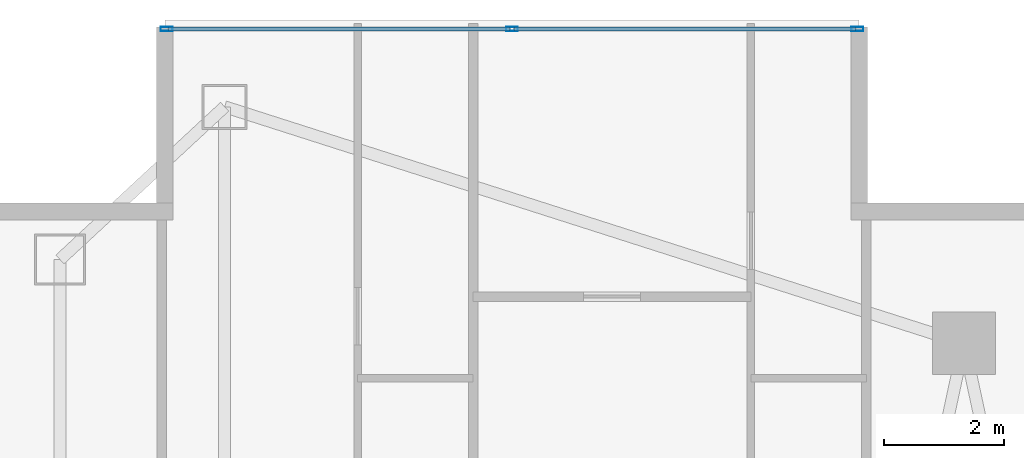
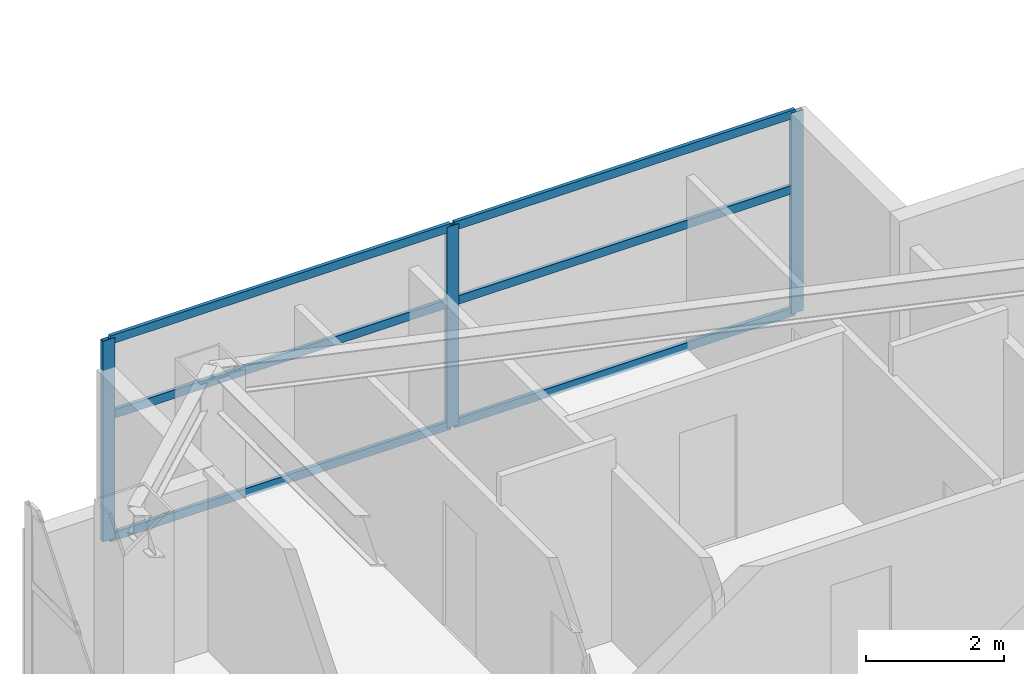
# One storey, part 19 of 29: 9 members, 1 element without a shape of its own.
"""IFC4 building model written with IfcOpenShell, lengths in metres."""

from ifc_helpers import new_model, si_unit, direction, frame, origin, origin_2d, place, context, subcontext, project, spatial, hollow_rectangle, extrude, material, layer, layer_set, material_profile, profile_set, type_object, element, aggregate, save


model = new_model("IFC4")

# Units and contexts
model_context = context("Model", 3, precision=1e-05, world=origin(), true_north=direction((0.0, 1.0)))
body_context = subcontext(model_context, "Body", "Model", "MODEL_VIEW")
ifc_project = project(units=[si_unit("LENGTHUNIT", "METRE"), si_unit("AREAUNIT", "SQUARE_METRE"), si_unit("VOLUMEUNIT", "CUBIC_METRE"), si_unit("PLANEANGLEUNIT", "RADIAN"), si_unit("MASSUNIT", "GRAM", prefix="KILO")], contexts=[model_context])

# Site, building, storey
site_placement = place(None, origin())
site = spatial("IfcSite", under=ifc_project, at=site_placement, CompositionType="ELEMENT")
building_placement = place(site_placement, origin())
building = spatial("IfcBuilding", under=site, at=building_placement, Name="Calvorn Quay Hotel", CompositionType="ELEMENT")
storey_placement = place(building_placement, frame((0.0, 0.0, 148.5)))
storey = spatial("IfcBuildingStorey", under=building, at=storey_placement, Name="L36", CompositionType="ELEMENT", Elevation=148.5)

# Curtain wall, members
ifc_material_1 = material(Name="Pale Anodised Aluminium and Low-E Glass", Category="aluminium")
ifc_layer = layer(ifc_material_1, 0.219970703125)
ifc_layer_set = layer_set([ifc_layer], Name="CW-SYS-Z2")
curtain_wall_type = type_object("IfcCurtainWallType", Name="CW-SYS-Z2", PredefinedType="NOTDEFINED", material=ifc_layer_set)
curtain_wall_placement = place(storey_placement, origin())
curtain_wall = element("IfcCurtainWall", 1, at=curtain_wall_placement, inside=storey, type_object=curtain_wall_type, Name="Inner Court Curtain Wall L36-N1", PredefinedType="NOTDEFINED")
ifc_material_2 = material(Name="Pale Anodised Aluminium 6063-T6", Category="aluminium")
ifc_material_profile_1 = material_profile(ifc_material_2, hollow_rectangle(XDim=0.070068359375, YDim=0.199951171875, WallThickness=0.00390625, at=origin_2d()), Name="ALU-M200x70x4")
ifc_profile_set_1 = profile_set([ifc_material_profile_1], Name="Pale Anodised Aluminium 6063-T6")
member_type_1 = type_object("IfcMemberType", Name="CW-SYS-Z2-MUL", PredefinedType="MULLION", material=ifc_profile_set_1)
member_1_placement = place(storey_placement, frame((14.77001953125, 50.85009765625, 0.0), z_axis=(0.0, 0.0, 1.0), x_axis=(0.0, -1.0, 0.0)))
member_1 = element("IfcMember", 2, at=member_1_placement, type_object=member_type_1, Name="CW-L36-N1 mullion 1", PredefinedType="MULLION", context=body_context, shape_type="SweptSolid", body=[
    extrude(hollow_rectangle(XDim=0.070068359375, YDim=0.199951171875, WallThickness=0.00390625, at=origin_2d()), origin(), (0.0, 0.0, 1.0), 3.56005859375),
])
member_2_placement = place(storey_placement, frame((9.0, 50.85009765625, 0.0), z_axis=(0.0, 0.0, 1.0), x_axis=(0.0, -1.0, 0.0)))
member_2 = element("IfcMember", 3, at=member_2_placement, type_object=member_type_1, Name="CW-L36-N1 mullion 2", PredefinedType="MULLION", context=body_context, shape_type="SweptSolid", body=[
    extrude(hollow_rectangle(XDim=0.070068359375, YDim=0.199951171875, WallThickness=0.00390625, at=origin_2d()), origin(), (0.0, 0.0, 1.0), 3.56005859375),
])
member_3_placement = place(storey_placement, frame((3.22998046875, 50.85009765625, 0.0), z_axis=(0.0, 0.0, 1.0), x_axis=(0.0, -1.0, 0.0)))
member_3 = element("IfcMember", 4, at=member_3_placement, type_object=member_type_1, Name="CW-L36-N1 mullion 3", PredefinedType="MULLION", context=body_context, shape_type="SweptSolid", body=[
    extrude(hollow_rectangle(XDim=0.070068359375, YDim=0.199951171875, WallThickness=0.00390625, at=origin_2d()), origin(), (0.0, 0.0, 1.0), 3.56005859375),
])
ifc_material_3 = material(Name="Pale Anodised Aluminium 6063-T6", Category="aluminium")
ifc_material_profile_2 = material_profile(ifc_material_3, hollow_rectangle(XDim=0.06005859375, YDim=0.14990234375, WallThickness=0.00341796875, at=origin_2d()), Name="ALU-T150x60x3.5")
ifc_profile_set_2 = profile_set([ifc_material_profile_2], Name="Pale Anodised Aluminium 6063-T6")
member_type_2 = type_object("IfcMemberType", Name="CW-SYS-Z2-TRN", PredefinedType="USERDEFINED", material=ifc_profile_set_2)
member_4_placement = place(storey_placement, frame((14.739990234375, 50.85009765625, 0.030029296875), z_axis=(-1.0, 0.0, 0.0), x_axis=(0.0, -1.0, 0.0)))
member_4 = element("IfcMember", 5, at=member_4_placement, type_object=member_type_2, Name="CW-L36-N1 transom 1.1", ObjectType="TRANSOM", PredefinedType="USERDEFINED", context=body_context, shape_type="SweptSolid", body=[
    extrude(hollow_rectangle(XDim=0.06005859375, YDim=0.14990234375, WallThickness=0.00341796875, at=origin_2d()), origin(), (0.0, 0.0, 1.0), 5.7099609375),
])
member_5_placement = place(storey_placement, frame((14.739990234375, 50.85009765625, 2.199951171875), z_axis=(-1.0, 0.0, 0.0), x_axis=(0.0, -1.0, 0.0)))
member_5 = element("IfcMember", 6, at=member_5_placement, type_object=member_type_2, Name="CW-L36-N1 transom 1.2", ObjectType="TRANSOM", PredefinedType="USERDEFINED", context=body_context, shape_type="SweptSolid", body=[
    extrude(hollow_rectangle(XDim=0.06005859375, YDim=0.14990234375, WallThickness=0.00341796875, at=origin_2d()), origin(), (0.0, 0.0, 1.0), 5.7099609375),
])
member_6_placement = place(storey_placement, frame((14.739990234375, 50.85009765625, 3.530029296875), z_axis=(-1.0, 0.0, 0.0), x_axis=(0.0, -1.0, 0.0)))
member_6 = element("IfcMember", 7, at=member_6_placement, type_object=member_type_2, Name="CW-L36-N1 transom 1.3", ObjectType="TRANSOM", PredefinedType="USERDEFINED", context=body_context, shape_type="SweptSolid", body=[
    extrude(hollow_rectangle(XDim=0.06005859375, YDim=0.14990234375, WallThickness=0.00341796875, at=origin_2d()), origin(), (0.0, 0.0, 1.0), 5.7099609375),
])
member_7_placement = place(storey_placement, frame((8.969970703125, 50.85009765625, 0.030029296875), z_axis=(-1.0, 0.0, 0.0), x_axis=(0.0, -1.0, 0.0)))
member_7 = element("IfcMember", 8, at=member_7_placement, type_object=member_type_2, Name="CW-L36-N1 transom 2.1", ObjectType="TRANSOM", PredefinedType="USERDEFINED", context=body_context, shape_type="SweptSolid", body=[
    extrude(hollow_rectangle(XDim=0.06005859375, YDim=0.14990234375, WallThickness=0.00341796875, at=origin_2d()), origin(), (0.0, 0.0, 1.0), 5.7099609375),
])
member_8_placement = place(storey_placement, frame((8.969970703125, 50.85009765625, 2.199951171875), z_axis=(-1.0, 0.0, 0.0), x_axis=(0.0, -1.0, 0.0)))
member_8 = element("IfcMember", 9, at=member_8_placement, type_object=member_type_2, Name="CW-L36-N1 transom 2.2", ObjectType="TRANSOM", PredefinedType="USERDEFINED", context=body_context, shape_type="SweptSolid", body=[
    extrude(hollow_rectangle(XDim=0.06005859375, YDim=0.14990234375, WallThickness=0.00341796875, at=origin_2d()), origin(), (0.0, 0.0, 1.0), 5.7099609375),
])
member_9_placement = place(storey_placement, frame((8.969970703125, 50.85009765625, 3.530029296875), z_axis=(-1.0, 0.0, 0.0), x_axis=(0.0, -1.0, 0.0)))
member_9 = element("IfcMember", 10, at=member_9_placement, type_object=member_type_2, Name="CW-L36-N1 transom 2.3", ObjectType="TRANSOM", PredefinedType="USERDEFINED", context=body_context, shape_type="SweptSolid", body=[
    extrude(hollow_rectangle(XDim=0.06005859375, YDim=0.14990234375, WallThickness=0.00341796875, at=origin_2d()), origin(), (0.0, 0.0, 1.0), 5.7099609375),
])
aggregate(curtain_wall, [member_1, member_2, member_3, member_4, member_5, member_6, member_7, member_8, member_9])

save(model, "model.ifc")
